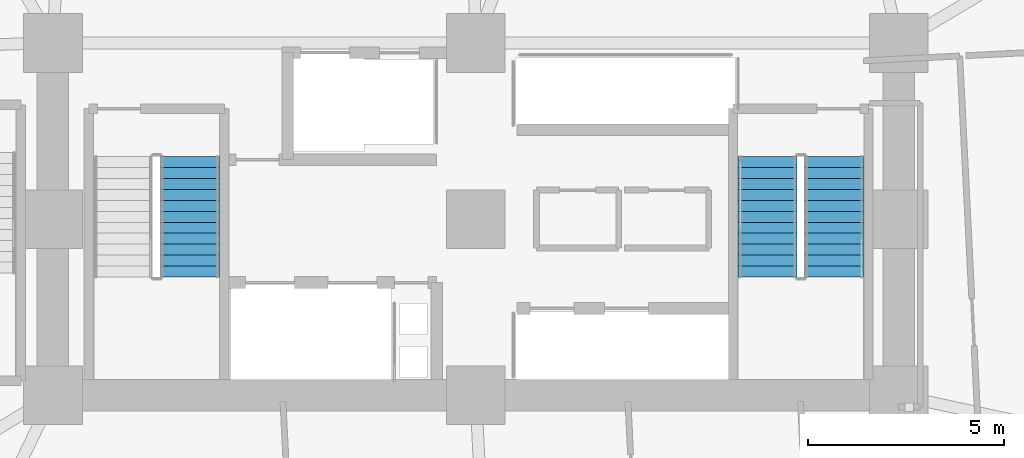
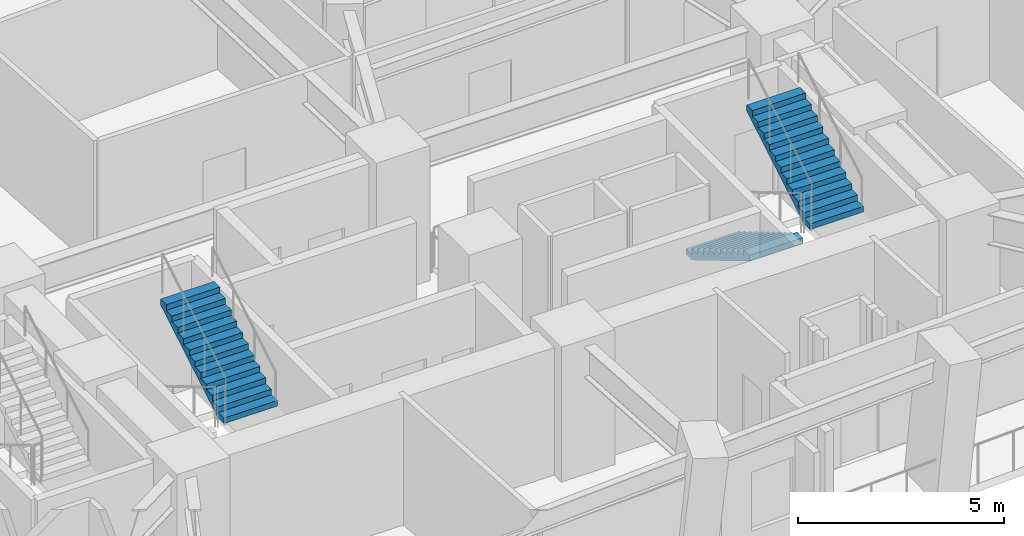
# One storey, part 11 of 15: 3 stair flights, 2 elements without a shape of their own.
"""IFC4 building model written with IfcOpenShell, lengths in metres."""

from ifc_helpers import new_model, si_unit, direction, frame, origin, place, context, subcontext, project, spatial, polyline, outline, extrude, material, type_object, element, aggregate, save


model = new_model("IFC4")

# Units and contexts
model_context = context("Model", 3, precision=1e-05, world=origin(), true_north=direction((0.0, 1.0)))
body_context = subcontext(model_context, "Body", "Model", "MODEL_VIEW")
ifc_project = project(units=[si_unit("LENGTHUNIT", "METRE"), si_unit("AREAUNIT", "SQUARE_METRE"), si_unit("VOLUMEUNIT", "CUBIC_METRE"), si_unit("PLANEANGLEUNIT", "RADIAN"), si_unit("MASSUNIT", "GRAM", prefix="KILO")], contexts=[model_context])

# Site, building, storey
site_placement = place(None, origin())
site = spatial("IfcSite", under=ifc_project, at=site_placement, CompositionType="ELEMENT")
building_placement = place(site_placement, origin())
building = spatial("IfcBuilding", under=site, at=building_placement, Name="Gaonmaruhae Medical Tower", CompositionType="ELEMENT")
storey_placement = place(building_placement, frame((0.0, 0.0, 35.0)))
storey = spatial("IfcBuildingStorey", under=building, at=storey_placement, Name="L07", CompositionType="ELEMENT", Elevation=35.0)

# Stair, stair flight
ifc_material = material(Name="Concrete C40/50", Category="concrete")
stair_type = type_object("IfcStairType", Name="ST-T1 Primary Core Escape Dogleg Stair", PredefinedType="TWO_QUARTER_TURN_STAIR", material=ifc_material)
stair_1_placement = place(storey_placement, origin())
stair_1 = element("IfcStair", 1, at=stair_1_placement, inside=storey, type_object=stair_type, Name="L07 Protected Escape Stair ST-01", PredefinedType="TWO_QUARTER_TURN_STAIR")
stair_flight_type = type_object("IfcStairFlightType", Name="SF-T1 Primary Core Precast Stair Flight", PredefinedType="STRAIGHT", material=ifc_material)
stair_flight_1_placement = place(storey_placement, frame((17.5, 10.820068359375, 2.0), z_axis=(0.0, 0.0, 1.0), x_axis=(0.0, 1.0, 0.0)))
stair_flight_1 = element("IfcStairFlight", 2, at=stair_flight_1_placement, type_object=stair_flight_type, Name="ST-01 flight 2", NumberOfRisers=12, NumberOfTreads=11, PredefinedType="STRAIGHT", RiserHeight=0.166666667, TreadLength=0.28, context=body_context, shape_type="SweptSolid", body=[
    extrude(outline(polyline([(0.0, 0.0), (0.0, 0.166748046875), (0.280029296875, 0.166748046875), (0.280029296875, 0.333251953125), (0.56005859375, 0.333251953125), (0.56005859375, 0.5), (0.840087890625, 0.5), (0.840087890625, 0.666748046875), (1.1201171875, 0.666748046875), (1.1201171875, 0.833251953125), (1.39990234375, 0.833251953125), (1.39990234375, 1.0), (1.679931640625, 1.0), (1.679931640625, 1.166748046875), (1.9599609375, 1.166748046875), (1.9599609375, 1.333251953125), (2.239990234375, 1.333251953125), (2.239990234375, 1.5), (2.52001953125, 1.5), (2.52001953125, 1.666748046875), (2.800048828125, 1.666748046875), (2.800048828125, 1.833251953125), (3.080078125, 1.833251953125), (3.080078125, 2.0), (3.080078125, 1.658935546875), (0.29296875, 0.0), (0.0, 0.0)])), frame((0.0, 0.75, 0.0), z_axis=(0.0, -1.0, 0.0), x_axis=(1.0, 0.0, 0.0)), (0.0, 0.0, 1.0), 1.5),
])
aggregate(stair_1, [stair_flight_1])

# Stair, stair flights
stair_2_placement = place(storey_placement, origin())
stair_2 = element("IfcStair", 3, at=stair_2_placement, inside=storey, type_object=stair_type, Name="L07 Protected Escape Stair ST-02", PredefinedType="TWO_QUARTER_TURN_STAIR")
stair_flight_2_placement = place(storey_placement, frame((32.25, 13.89990234375, 0.0), z_axis=(0.0, 0.0, 1.0), x_axis=(0.0, -1.0, 0.0)))
stair_flight_2 = element("IfcStairFlight", 4, at=stair_flight_2_placement, type_object=stair_flight_type, Name="ST-02 flight 1", NumberOfRisers=12, NumberOfTreads=11, PredefinedType="STRAIGHT", RiserHeight=0.166666667, TreadLength=0.28, context=body_context, shape_type="SweptSolid", body=[
    extrude(outline(polyline([(0.0, 0.0), (0.0, 0.166748046875), (0.280029296875, 0.166748046875), (0.280029296875, 0.333251953125), (0.56005859375, 0.333251953125), (0.56005859375, 0.5), (0.840087890625, 0.5), (0.840087890625, 0.666748046875), (1.1201171875, 0.666748046875), (1.1201171875, 0.833251953125), (1.39990234375, 0.833251953125), (1.39990234375, 1.0), (1.679931640625, 1.0), (1.679931640625, 1.166748046875), (1.9599609375, 1.166748046875), (1.9599609375, 1.333251953125), (2.239990234375, 1.333251953125), (2.239990234375, 1.5), (2.52001953125, 1.5), (2.52001953125, 1.666748046875), (2.800048828125, 1.666748046875), (2.800048828125, 1.833251953125), (3.080078125, 1.833251953125), (3.080078125, 2.0), (3.080078125, 1.658935546875), (0.29296875, 0.0), (0.0, 0.0)])), frame((0.0, 0.75, 0.0), z_axis=(0.0, -1.0, 0.0), x_axis=(1.0, 0.0, 0.0)), (0.0, 0.0, 1.0), 1.5),
])
stair_flight_3_placement = place(storey_placement, frame((33.949951171875, 10.820068359375, 2.0), z_axis=(0.0, 0.0, 1.0), x_axis=(0.0, 1.0, 0.0)))
stair_flight_3 = element("IfcStairFlight", 5, at=stair_flight_3_placement, type_object=stair_flight_type, Name="ST-02 flight 2", NumberOfRisers=12, NumberOfTreads=11, PredefinedType="STRAIGHT", RiserHeight=0.166666667, TreadLength=0.28, context=body_context, shape_type="SweptSolid", body=[
    extrude(outline(polyline([(0.0, 0.0), (0.0, 0.166748046875), (0.280029296875, 0.166748046875), (0.280029296875, 0.333251953125), (0.56005859375, 0.333251953125), (0.56005859375, 0.5), (0.840087890625, 0.5), (0.840087890625, 0.666748046875), (1.1201171875, 0.666748046875), (1.1201171875, 0.833251953125), (1.39990234375, 0.833251953125), (1.39990234375, 1.0), (1.679931640625, 1.0), (1.679931640625, 1.166748046875), (1.9599609375, 1.166748046875), (1.9599609375, 1.333251953125), (2.239990234375, 1.333251953125), (2.239990234375, 1.5), (2.52001953125, 1.5), (2.52001953125, 1.666748046875), (2.800048828125, 1.666748046875), (2.800048828125, 1.833251953125), (3.080078125, 1.833251953125), (3.080078125, 2.0), (3.080078125, 1.658935546875), (0.29296875, 0.0), (0.0, 0.0)])), frame((0.0, 0.75, 0.0), z_axis=(0.0, -1.0, 0.0), x_axis=(1.0, 0.0, 0.0)), (0.0, 0.0, 1.0), 1.5),
])
aggregate(stair_2, [stair_flight_2, stair_flight_3])

save(model, "model.ifc")
